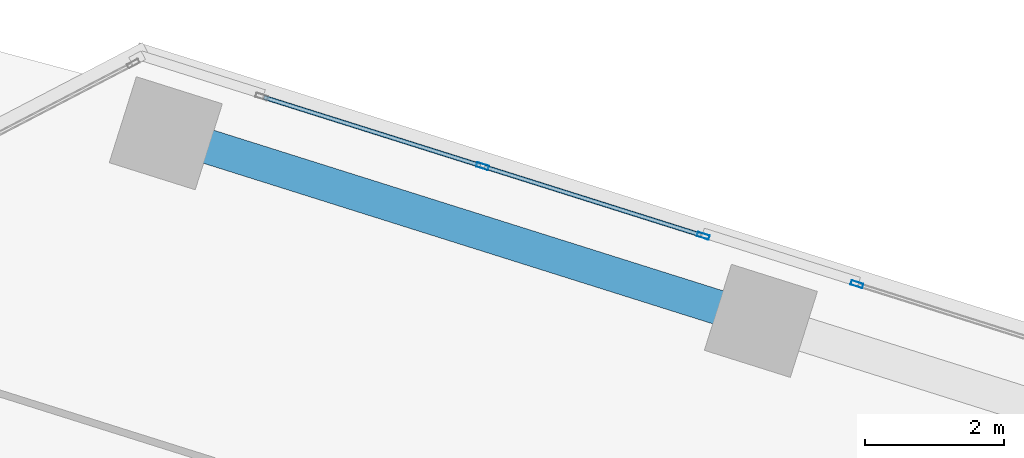
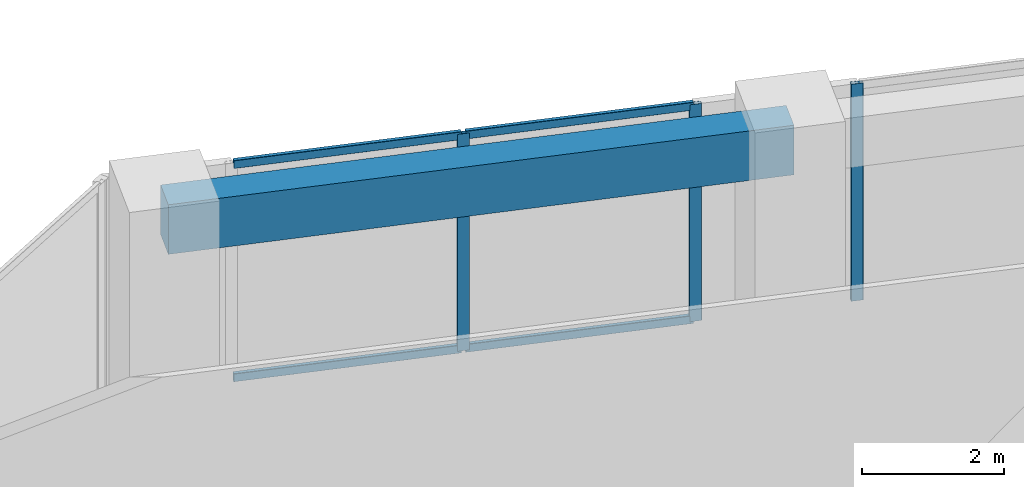
# One storey, part 16 of 28: 7 members, 1 beam, 2 elements without a shape of their own.
"""IFC4 building model written with IfcOpenShell, lengths in metres."""

import ifcopenshell
import ifcopenshell.guid

model = None  # the IFC model being written
_history = None  # IfcOwnerHistory: only IFC2X3 demands one
_inside = {}  # id of a spatial element -> (the spatial element, [elements in it])
_under = {}  # id of a project, library or spatial element -> (it, [spatial elements below it])
_declared = {}  # id of a project -> (the project, [libraries it declares])
_typed = {}  # id of a type object -> (the type object, [elements of that type])
_made_of = {}  # id of a material, layer set ... -> (it, [elements and type objects made of it])


def new_model(schema):
    """Start an empty IFC model of exactly this schema.

    Asked for "IFC4X3", IfcOpenShell would pick the latest addendum, in which some entities
    have other attributes; the version numbers below select the first issue.
    IFC2X3 requires an IfcOwnerHistory on every rooted entity: one is made here for all.
    """
    global model, _history
    if schema == "IFC4X3":
        model = ifcopenshell.file(schema_version=(4, 3, 0, 0))
    else:
        model = ifcopenshell.file(schema=schema)
    _inside.clear()
    _under.clear()
    _declared.clear()
    _typed.clear()
    _made_of.clear()
    _history = None
    if model.schema == "IFC2X3":
        org = make("IfcOrganization", Name="unknown")
        user = make(
            "IfcPersonAndOrganization",
            ThePerson=make("IfcPerson", FamilyName="unknown"),
            TheOrganization=org,
        )
        app = make(
            "IfcApplication",
            ApplicationDeveloper=org,
            Version="unknown",
            ApplicationFullName="unknown",
            ApplicationIdentifier="unknown",
        )
        _history = make(
            "IfcOwnerHistory",
            OwningUser=user,
            OwningApplication=app,
            ChangeAction="ADDED",
            CreationDate=0,
        )
    return model


def make(cls, **values):
    """One entity of the class cls with the attributes given. An attribute that is None is left unset."""
    return model.create_entity(
        cls, **{name: value for name, value in values.items() if value is not None}
    )


def rooted(cls, **values):
    """An entity with a GlobalId (a new one), such as an element, a storey or a relation."""
    return make(cls, GlobalId=ifcopenshell.guid.new(), OwnerHistory=_history, **values)


def si_unit(unit_type, name, prefix=None):
    """IfcSIUnit, for example si_unit("LENGTHUNIT", "METRE", prefix="MILLI")."""
    return make("IfcSIUnit", UnitType=unit_type, Prefix=prefix, Name=name)


def assignment(units):
    """IfcUnitAssignment: the units of a project."""
    return None if units is None else make("IfcUnitAssignment", Units=units)


def point(xyz):
    """IfcCartesianPoint."""
    return None if xyz is None else make("IfcCartesianPoint", Coordinates=xyz)


def direction(xyz):
    """IfcDirection."""
    return None if xyz is None else make("IfcDirection", DirectionRatios=xyz)


def frame(location, z_axis=None, x_axis=None):
    """IfcAxis2Placement3D, a coordinate frame: its origin and axes. An axis left out is left unset."""
    return make(
        "IfcAxis2Placement3D",
        Location=point(location),
        Axis=direction(z_axis),
        RefDirection=direction(x_axis),
    )


def frame_2d(location, x_axis=None):
    """IfcAxis2Placement2D, a coordinate frame in the plane: its origin and x axis."""
    return make(
        "IfcAxis2Placement2D", Location=point(location), RefDirection=direction(x_axis)
    )


def origin():
    """The frame at (0, 0, 0) with its axes left unset."""
    return frame((0.0, 0.0, 0.0))


def origin_2d():
    """The frame at (0, 0) in the plane with its x axis left unset."""
    return frame_2d((0.0, 0.0))


def place(relative_to, where):
    """IfcLocalPlacement: puts the frame where relative to a parent placement (None: the world)."""
    return make(
        "IfcLocalPlacement", PlacementRelTo=relative_to, RelativePlacement=where
    )


def context(
    kind, dimensions, precision=None, world=None, true_north=None, identifier=None
):
    """IfcGeometricRepresentationContext, for example the 3D "Model" context."""
    return make(
        "IfcGeometricRepresentationContext",
        ContextIdentifier=identifier,
        ContextType=kind,
        CoordinateSpaceDimension=dimensions,
        Precision=precision,
        WorldCoordinateSystem=world,
        TrueNorth=true_north,
    )


def subcontext(parent, identifier, kind, view, scale=None):
    """IfcGeometricRepresentationSubContext, for example "Body" below "Model"."""
    return make(
        "IfcGeometricRepresentationSubContext",
        ContextIdentifier=identifier,
        ContextType=kind,
        ParentContext=parent,
        TargetScale=scale,
        TargetView=view,
    )


def project(units=None, contexts=None):
    """IfcProject with its units and contexts."""
    return rooted(
        "IfcProject",
        Name="project",
        RepresentationContexts=contexts,
        UnitsInContext=assignment(units),
    )


def spatial(cls, under=None, at=None, **own):
    """A site, building, storey or space (cls), placed at a placement, below another one or the project."""
    s = rooted(cls, ObjectPlacement=at, **own)
    if under is not None:
        _under.setdefault(under.id(), (under, []))[1].append(s)
    return s


def profile(cls, at=None, kind="AREA", **sizes):
    """A parametric profile (cls). Its sizes go by their IFC names, for example OverallWidth=200.0."""
    return make(cls, ProfileType=kind, Position=at, **sizes)


def rectangle(**sizes):
    """IfcRectangleProfileDef."""
    return profile("IfcRectangleProfileDef", **sizes)


def hollow_rectangle(**sizes):
    """IfcRectangleHollowProfileDef."""
    return profile("IfcRectangleHollowProfileDef", **sizes)


def extrude(swept, where, along, depth):
    """IfcExtrudedAreaSolid: the profile swept, set in the frame where, extruded along a direction by depth."""
    return make(
        "IfcExtrudedAreaSolid",
        SweptArea=swept,
        Position=where,
        ExtrudedDirection=direction(along),
        Depth=depth,
    )


def shape(context_of_items, identifier, shape_type, items):
    """IfcShapeRepresentation: the items that make up one representation, for example the "Body"."""
    return make(
        "IfcShapeRepresentation",
        ContextOfItems=context_of_items,
        RepresentationIdentifier=identifier,
        RepresentationType=shape_type,
        Items=items,
    )


def source(mapping_origin, context_of_items, identifier, shape_type, items):
    """IfcRepresentationMap: a shape defined once, which mapped items show again and again."""
    return make(
        "IfcRepresentationMap",
        MappingOrigin=mapping_origin,
        MappedRepresentation=shape(context_of_items, identifier, shape_type, items),
    )


def transform(
    local_origin,
    x_axis=None,
    y_axis=None,
    z_axis=None,
    scale=None,
    scale2=None,
    scale3=None,
    uniform=True,
):
    """IfcCartesianTransformationOperator3D, or its non-uniform kind. x_axis, y_axis, z_axis: its Axis1, 2, 3."""
    if uniform:
        return make(
            "IfcCartesianTransformationOperator3D",
            Axis1=direction(x_axis),
            Axis2=direction(y_axis),
            LocalOrigin=point(local_origin),
            Scale=scale,
            Axis3=direction(z_axis),
        )
    return make(
        "IfcCartesianTransformationOperator3DnonUniform",
        Axis1=direction(x_axis),
        Axis2=direction(y_axis),
        LocalOrigin=point(local_origin),
        Scale=scale,
        Axis3=direction(z_axis),
        Scale2=scale2,
        Scale3=scale3,
    )


def mapped(mapping_source, mapping_target):
    """IfcMappedItem: shows the shape of a source again, moved by a transform."""
    return make(
        "IfcMappedItem", MappingSource=mapping_source, MappingTarget=mapping_target
    )


def material(Name=None, Category=None):
    """IfcMaterial."""
    return make("IfcMaterial", Name=Name, Category=Category)


def material_profile(
    of_material, cross_section, Name=None, Category=None, Priority=None
):
    """IfcMaterialProfile: a cross section and its material."""
    return make(
        "IfcMaterialProfile",
        Name=Name,
        Material=of_material,
        Profile=cross_section,
        Priority=Priority,
        Category=Category,
    )


def profile_set(profiles, Name=None, composite=None):
    """IfcMaterialProfileSet."""
    return make(
        "IfcMaterialProfileSet",
        Name=Name,
        MaterialProfiles=profiles,
        CompositeProfile=composite,
    )


def made_of(thing, what):
    """Note that an element or type object is made of a material, layer set ...; save() writes the relation."""
    if what is not None:
        _made_of.setdefault(what.id(), (what, []))[1].append(thing)
    return thing


def type_object(cls, material=None, **own):
    """A type object (cls), such as IfcWallType, which elements share."""
    return made_of(rooted(cls, **own), material)


def element(
    cls,
    number,
    at=None,
    inside=None,
    cuts=None,
    type_object=None,
    material=None,
    context=None,
    identifier="Body",
    shape_type=None,
    held_by="IfcProductDefinitionShape",
    body=None,
    shapes=None,
    **own,
):
    """One element of the class cls, such as IfcWall. Its Tag is "e" and its number.

    at: its placement. inside: the storey or other place that contains it. cuts: it is an
    opening in that element (IfcRelVoidsElement). A single representation is given by context,
    identifier, shape_type and body (its items); several are given by shapes. held_by: the class
    of the entity that holds the representations. save() writes the other relations.
    """
    e = rooted(cls, Tag="e%d" % number, ObjectPlacement=at, **own)
    if body is not None:
        shapes = [shape(context, identifier, shape_type, body)]
    if shapes is not None:
        e.Representation = make(held_by, Representations=shapes)
    if inside is not None:
        _inside.setdefault(inside.id(), (inside, []))[1].append(e)
    if cuts is not None:
        rooted(
            "IfcRelVoidsElement", RelatingBuildingElement=cuts, RelatedOpeningElement=e
        )
    if type_object is not None:
        _typed.setdefault(type_object.id(), (type_object, []))[1].append(e)
    return made_of(e, material)


def aggregate(whole, parts):
    """IfcRelAggregates: a whole, such as a stair, and the parts it consists of."""
    return rooted("IfcRelAggregates", RelatingObject=whole, RelatedObjects=parts)


def save(model, path):
    """Write the relations noted so far, then the file.

    IfcRelAggregates (storeys below a building ...), IfcRelContainedInSpatialStructure (elements
    in a storey), IfcRelDefinesByType, IfcRelAssociatesMaterial and IfcRelDeclares: one each for
    every whole, place, type object, material and project.
    """
    for whole, parts in _under.values():
        aggregate(whole, parts)
    for where, things in _inside.values():
        rooted(
            "IfcRelContainedInSpatialStructure",
            RelatedElements=things,
            RelatingStructure=where,
        )
    for kind, things in _typed.values():
        rooted("IfcRelDefinesByType", RelatedObjects=things, RelatingType=kind)
    for what, things in _made_of.values():
        rooted("IfcRelAssociatesMaterial", RelatedObjects=things, RelatingMaterial=what)
    for by, libraries in _declared.values():
        rooted("IfcRelDeclares", RelatingContext=by, RelatedDefinitions=libraries)
    model.write(path)


model = new_model("IFC4")

# Units and contexts
model_context = context("Model", 3, precision=1e-05, world=origin(), true_north=direction((0.0, 1.0)))
body_context = subcontext(model_context, "Body", "Model", "MODEL_VIEW")
ifc_project = project(units=[si_unit("LENGTHUNIT", "METRE"), si_unit("AREAUNIT", "SQUARE_METRE"), si_unit("VOLUMEUNIT", "CUBIC_METRE"), si_unit("PLANEANGLEUNIT", "RADIAN"), si_unit("MASSUNIT", "GRAM", prefix="KILO")], contexts=[model_context])

# Site, building, storey
site_placement = place(None, origin())
site = spatial("IfcSite", under=ifc_project, at=site_placement, CompositionType="ELEMENT")
building_placement = place(site_placement, origin())
building = spatial("IfcBuilding", under=site, at=building_placement, Name="Torre Montelarca", CompositionType="ELEMENT")
storey_placement = place(building_placement, frame((0.0, 0.0, 112.60009765625)))
storey = spatial("IfcBuildingStorey", under=building, at=storey_placement, Name="L25", CompositionType="ELEMENT", Elevation=112.60009765625)

# Beam
ifc_material_1 = material(Name="Concrete C55/67", Category="concrete")
ifc_material_profile_1 = material_profile(ifc_material_1, rectangle(XDim=0.5, YDim=0.85009765625, at=origin_2d()), Name="RCB500X850", Category="concrete")
ifc_profile_set_1 = profile_set([ifc_material_profile_1], Name="Concrete C55/67")
beam_type = type_object("IfcBeamType", Name="BM-SP-RC850-EXT", PredefinedType="SPANDREL", material=ifc_profile_set_1)
shared_shape_1 = source(origin(), body_context, "Body", "SweptSolid", [
    extrude(rectangle(XDim=0.5, YDim=0.85009765625, at=origin_2d()), origin(), (0.0, 0.0, 1.0), 9.0),
])
beam_placement = place(storey_placement, frame((14.13427734375, 50.20751953125, 3.534912109375), z_axis=(0.953719088711, -0.300699018669, 0.0), x_axis=(0.300699018669, 0.953719088711, 0.0)))
element("IfcBeam", 1, at=beam_placement, inside=storey, type_object=beam_type, Name="L25 Grid Girder X 9.0-18.0 at Y=47.1", PredefinedType="SPANDREL", context=body_context, shape_type="MappedRepresentation", body=[
    mapped(shared_shape_1, transform((0.0, 0.0, 0.0), scale=1.0)),
])

# Curtain wall, members
ifc_material_2 = material(Name="Insulated low-E laminated glass", Category="glass")
curtain_wall_type = type_object("IfcCurtainWallType", Name="CW-SYS-Z1", PredefinedType="USERDEFINED", material=ifc_material_2)
curtain_wall_1_placement = place(storey_placement, origin())
curtain_wall_1 = element("IfcCurtainWall", 2, at=curtain_wall_1_placement, inside=storey, type_object=curtain_wall_type, Name="L25 Curtain Wall Run CW-T3-L25-E08-B4", ObjectType="UNITISED GLAZING", PredefinedType="USERDEFINED")
ifc_material_3 = material(Name="Anodised aluminium AA 6063-T6", Category="aluminium")
ifc_material_profile_2 = material_profile(ifc_material_3, hollow_rectangle(XDim=0.06494140625, YDim=0.139892578125, WallThickness=0.00390625, InnerFilletRadius=0.00390625, OuterFilletRadius=0.008056640625, at=origin_2d()), Name="ALU65X140X4", Category="aluminium")
ifc_profile_set_2 = profile_set([ifc_material_profile_2], Name="Anodised aluminium AA 6063-T6")
member_type_1 = type_object("IfcMemberType", Name="CWT-ALU140", PredefinedType="USERDEFINED", material=ifc_profile_set_2)
shared_shape_2 = source(origin(), body_context, "Body", "SweptSolid", [
    extrude(hollow_rectangle(XDim=0.06494140625, YDim=0.139892578125, WallThickness=0.00390625, InnerFilletRadius=0.00390625, OuterFilletRadius=0.008056640625, at=origin_2d()), origin(), (0.0, 0.0, 1.0), 3.2724609375),
])
member_1_placement = place(storey_placement, frame((21.8544921875, 48.738037109375, 0.032470703125), z_axis=(-0.953705490479, 0.30074214442, 0.0), x_axis=(-0.30074214442, -0.953705490479, 0.0)))
member_1 = element("IfcMember", 3, at=member_1_placement, type_object=member_type_1, Name="CW transom 1.1", ObjectType="TRANSOM", PredefinedType="USERDEFINED", context=body_context, shape_type="MappedRepresentation", body=[
    mapped(shared_shape_2, transform((0.0, 0.0, 0.0), scale=1.0)),
])
member_2_placement = place(storey_placement, frame((21.8544921875, 48.738037109375, 3.6875), z_axis=(-0.953705490479, 0.30074214442, 0.0), x_axis=(-0.30074214442, -0.953705490479, 0.0)))
member_2 = element("IfcMember", 4, at=member_2_placement, type_object=member_type_1, Name="CW transom 1.2", ObjectType="TRANSOM", PredefinedType="USERDEFINED", context=body_context, shape_type="MappedRepresentation", body=[
    mapped(shared_shape_2, transform((0.0, 0.0, 0.0), scale=1.0)),
])
member_3_placement = place(storey_placement, frame((18.671630859375, 49.74169921875, 0.032470703125), z_axis=(-0.953733631686, 0.300652889213, 0.0), x_axis=(-0.300652889213, -0.953733631686, 0.0)))
member_3 = element("IfcMember", 5, at=member_3_placement, type_object=member_type_1, Name="CW transom 2.1", ObjectType="TRANSOM", PredefinedType="USERDEFINED", context=body_context, shape_type="MappedRepresentation", body=[
    mapped(shared_shape_2, transform((0.0, 0.0, 0.0), scale=1.0)),
])
member_4_placement = place(storey_placement, frame((18.671630859375, 49.74169921875, 3.6875), z_axis=(-0.953733631686, 0.300652889213, 0.0), x_axis=(-0.300652889213, -0.953733631686, 0.0)))
member_4 = element("IfcMember", 6, at=member_4_placement, type_object=member_type_1, Name="CW transom 2.2", ObjectType="TRANSOM", PredefinedType="USERDEFINED", context=body_context, shape_type="MappedRepresentation", body=[
    mapped(shared_shape_2, transform((0.0, 0.0, 0.0), scale=1.0)),
])

# Curtain wall, member
curtain_wall_2_placement = place(storey_placement, origin())
curtain_wall_2 = element("IfcCurtainWall", 7, at=curtain_wall_2_placement, inside=storey, type_object=curtain_wall_type, Name="L25 Curtain Wall Run CW-T3-L25-E08-B3", ObjectType="UNITISED GLAZING", PredefinedType="USERDEFINED")
ifc_material_profile_3 = material_profile(ifc_material_3, hollow_rectangle(XDim=0.06494140625, YDim=0.179931640625, WallThickness=0.00390625, InnerFilletRadius=0.00390625, OuterFilletRadius=0.008056640625, at=origin_2d()), Name="ALU65X180X4", Category="aluminium")
ifc_profile_set_3 = profile_set([ifc_material_profile_3], Name="Anodised aluminium AA 6063-T6")
member_type_2 = type_object("IfcMemberType", Name="CWM-ALU180", PredefinedType="MULLION", material=ifc_profile_set_3)
shared_shape_3 = source(origin(), body_context, "Body", "SweptSolid", [
    extrude(hollow_rectangle(XDim=0.06494140625, YDim=0.179931640625, WallThickness=0.00390625, InnerFilletRadius=0.00390625, OuterFilletRadius=0.008056640625, at=origin_2d()), origin(), (0.0, 0.0, 1.0), 3.719970703125),
])
member_5_placement = place(storey_placement, frame((24.10302734375, 48.029052734375, 0.0), z_axis=(0.0, 0.0, 1.0), x_axis=(-0.300709558589, -0.953715765505, 0.0)))
member_5 = element("IfcMember", 8, at=member_5_placement, type_object=member_type_2, Name="CW mullion 3", PredefinedType="MULLION", context=body_context, shape_type="MappedRepresentation", body=[
    mapped(shared_shape_3, transform((0.0, 0.0, 0.0), scale=1.0)),
])
aggregate(curtain_wall_2, [member_5])

# Member
member_6_placement = place(storey_placement, frame((21.885498046875, 48.728271484375, 0.0), z_axis=(0.0, 0.0, 1.0), x_axis=(-0.300696063452, -0.953720020459, 0.0)))
member_6 = element("IfcMember", 9, at=member_6_placement, type_object=member_type_2, Name="CW mullion 1", PredefinedType="MULLION", context=body_context, shape_type="MappedRepresentation", body=[
    mapped(shared_shape_3, transform((0.0, 0.0, 0.0), scale=1.0)),
])

member_7_placement = place(storey_placement, frame((18.70263671875, 49.73193359375, 0.0), z_axis=(0.0, 0.0, 1.0), x_axis=(-0.300696063452, -0.953720020459, 0.0)))
member_7 = element("IfcMember", 10, at=member_7_placement, type_object=member_type_2, Name="CW mullion 2", PredefinedType="MULLION", context=body_context, shape_type="MappedRepresentation", body=[
    mapped(shared_shape_3, transform((0.0, 0.0, 0.0), scale=1.0)),
])

aggregate(curtain_wall_1, [member_6, member_7, member_1, member_2, member_3, member_4])

save(model, "model.ifc")
